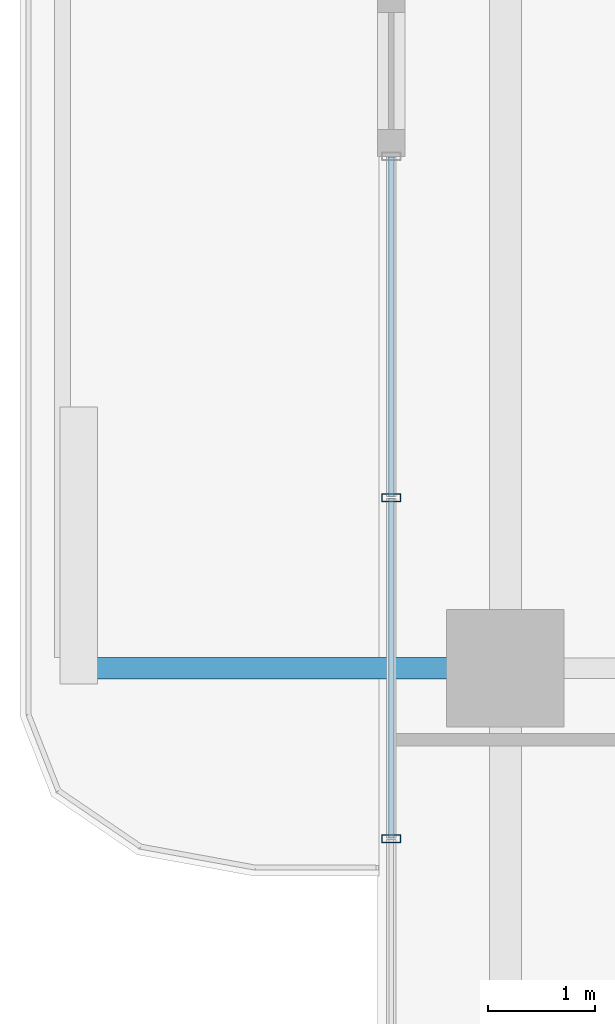
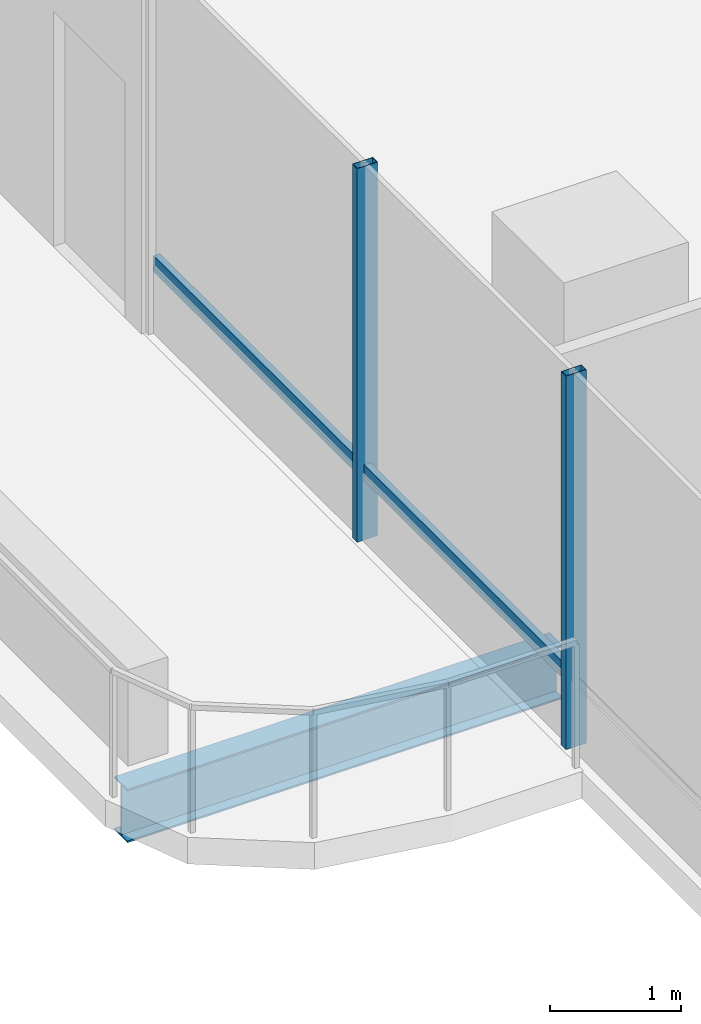
# One storey, part 6 of 25: 4 members, 1 beam, 1 element without a shape of its own.
"""IFC4 building model written with IfcOpenShell, lengths in metres."""

from ifc_helpers import new_model, si_unit, direction, frame, origin, origin_2d, place, context, subcontext, project, spatial, hollow_rectangle, i_section, extrude, material, layer, layer_set, material_profile, profile_set, type_object, element, aggregate, save


model = new_model("IFC4")

# Units and contexts
model_context = context("Model", 3, precision=1e-05, world=origin(), true_north=direction((0.0, 1.0)))
body_context = subcontext(model_context, "Body", "Model", "MODEL_VIEW")
ifc_project = project(units=[si_unit("LENGTHUNIT", "METRE"), si_unit("AREAUNIT", "SQUARE_METRE"), si_unit("VOLUMEUNIT", "CUBIC_METRE"), si_unit("PLANEANGLEUNIT", "RADIAN"), si_unit("MASSUNIT", "GRAM", prefix="KILO")], contexts=[model_context])

# Site, building, storey
site_placement = place(None, origin())
site = spatial("IfcSite", under=ifc_project, at=site_placement, CompositionType="ELEMENT")
building_placement = place(site_placement, origin())
building = spatial("IfcBuilding", under=site, at=building_placement, Name="Belovzor Exchange Tower", CompositionType="ELEMENT")
storey_placement = place(building_placement, frame((0.0, 0.0, 183.300048828125)))
storey = spatial("IfcBuildingStorey", under=building, at=storey_placement, Name="L45", CompositionType="ELEMENT", Elevation=183.300048828125)

# Beam
ifc_material_1 = material(Name="Steel S355", Category="steel")
ifc_material_profile_1 = material_profile(ifc_material_1, i_section(OverallWidth=0.199951171875, OverallDepth=0.5, WebThickness=0.01025390625, FlangeThickness=0.01611328125, at=origin_2d()))
ifc_profile_set_1 = profile_set([ifc_material_profile_1], Name="Steel S355")
beam_type = type_object("IfcBeamType", Name="Planted Balcony Cantilever Beam IPE 500", PredefinedType="BEAM", material=ifc_profile_set_1)
beam_placement = place(storey_placement, frame((5.39697265625, 28.800048828125, -0.505126953125), z_axis=(-1.0, 0.0, 0.0), x_axis=(0.0, -1.0, 0.0)))
element("IfcBeam", 1, at=beam_placement, inside=storey, type_object=beam_type, Name="BC-500 Planted Balcony Cantilever Beam IPE 500", PredefinedType="BEAM", context=body_context, shape_type="SweptSolid", body=[
    extrude(i_section(OverallWidth=0.199951171875, OverallDepth=0.5, WebThickness=0.01025390625, FlangeThickness=0.01611328125, at=origin_2d()), origin(), (0.0, 0.0, 1.0), 3.849853515625),
])

# Curtain wall, members
ifc_material_2 = material(Name="Anodised Aluminium Framing", Category="aluminium")
ifc_layer = layer(ifc_material_2, 0.179931640625)
ifc_layer_set = layer_set([ifc_layer], Name="Anodised Aluminium Framing")
curtain_wall_type = type_object("IfcCurtainWallType", Name="Recessed Loggia Low-Iron Triple-Glazed Curtain Wall", PredefinedType="NOTDEFINED", material=ifc_layer_set)
curtain_wall_placement = place(storey_placement, origin())
curtain_wall = element("IfcCurtainWall", 2, at=curtain_wall_placement, inside=storey, type_object=curtain_wall_type, Name="CW3 Recessed Loggia Low-Iron Triple-Glazed Curtain Wall L45", PredefinedType="NOTDEFINED")
ifc_material_3 = material(Name="Steel S355", Category="steel")
ifc_material_profile_2 = material_profile(ifc_material_3, hollow_rectangle(XDim=0.074951171875, YDim=0.179931640625, WallThickness=0.0048828125, at=origin_2d()))
ifc_profile_set_2 = profile_set([ifc_material_profile_2], Name="Steel S355")
member_type_1 = type_object("IfcMemberType", Name="Thermally Broken Curtain Wall Mullion 180x75", PredefinedType="MULLION", material=ifc_profile_set_2)
member_1_placement = place(storey_placement, frame((4.6298828125, 27.199951171875, 0.0), z_axis=(0.0, 0.0, 1.0), x_axis=(0.0, 1.0, 0.0)))
member_1 = element("IfcMember", 3, at=member_1_placement, type_object=member_type_1, Name="CW-M180 Curtain Wall Mullion 2", PredefinedType="MULLION", context=body_context, shape_type="SweptSolid", body=[
    extrude(hollow_rectangle(XDim=0.074951171875, YDim=0.179931640625, WallThickness=0.0048828125, at=origin_2d()), origin(), (0.0, 0.0, 1.0), 3.494873046875),
])
member_2_placement = place(storey_placement, frame((4.6298828125, 30.39990234375, 0.0), z_axis=(0.0, 0.0, 1.0), x_axis=(0.0, 1.0, 0.0)))
member_2 = element("IfcMember", 4, at=member_2_placement, type_object=member_type_1, Name="CW-M180 Curtain Wall Mullion 3", PredefinedType="MULLION", context=body_context, shape_type="SweptSolid", body=[
    extrude(hollow_rectangle(XDim=0.074951171875, YDim=0.179931640625, WallThickness=0.0048828125, at=origin_2d()), origin(), (0.0, 0.0, 1.0), 3.494873046875),
])
ifc_material_4 = material(Name="Steel S355", Category="steel")
ifc_material_profile_3 = material_profile(ifc_material_4, hollow_rectangle(XDim=0.06005859375, YDim=0.14990234375, WallThickness=0.00390625, at=origin_2d()))
ifc_profile_set_3 = profile_set([ifc_material_profile_3], Name="Steel S355")
member_type_2 = type_object("IfcMemberType", Name="Thermally Broken Curtain Wall Transom 150x60", PredefinedType="USERDEFINED", material=ifc_profile_set_3)
member_3_placement = place(storey_placement, frame((4.6298828125, 27.2080078125, 0.62890625), z_axis=(0.0, 1.0, 0.0), x_axis=(-1.0, 0.0, 0.0)))
member_3 = element("IfcMember", 5, at=member_3_placement, type_object=member_type_2, Name="CW-T150 Curtain Wall Transom 2", ObjectType="TRANSOM", PredefinedType="USERDEFINED", context=body_context, shape_type="SweptSolid", body=[
    extrude(hollow_rectangle(XDim=0.06005859375, YDim=0.14990234375, WallThickness=0.00390625, at=origin_2d()), origin(), (0.0, 0.0, 1.0), 3.18408203125),
])
member_4_placement = place(storey_placement, frame((4.6298828125, 30.407958984375, 0.62890625), z_axis=(0.0, 1.0, 0.0), x_axis=(-1.0, 0.0, 0.0)))
member_4 = element("IfcMember", 6, at=member_4_placement, type_object=member_type_2, Name="CW-T150 Curtain Wall Transom 3", ObjectType="TRANSOM", PredefinedType="USERDEFINED", context=body_context, shape_type="SweptSolid", body=[
    extrude(hollow_rectangle(XDim=0.06005859375, YDim=0.14990234375, WallThickness=0.00390625, at=origin_2d()), origin(), (0.0, 0.0, 1.0), 3.18408203125),
])
aggregate(curtain_wall, [member_1, member_2, member_3, member_4])

save(model, "model.ifc")
